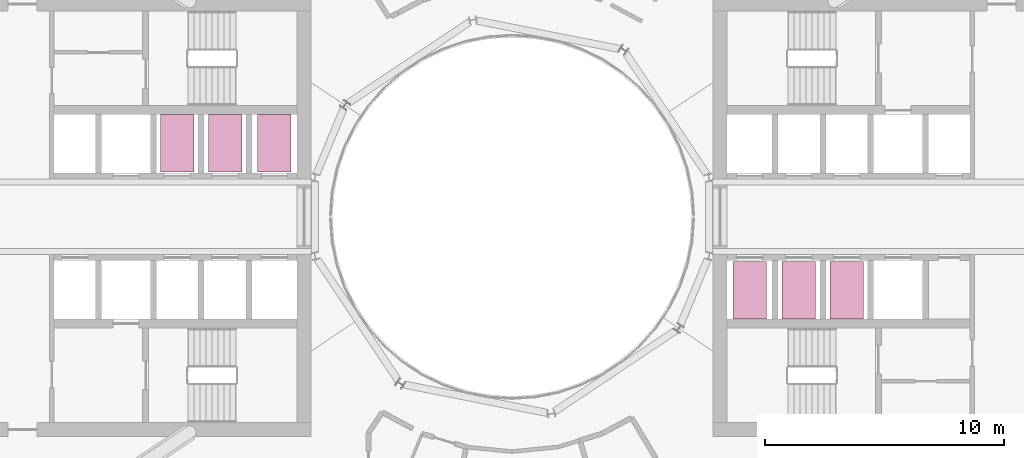
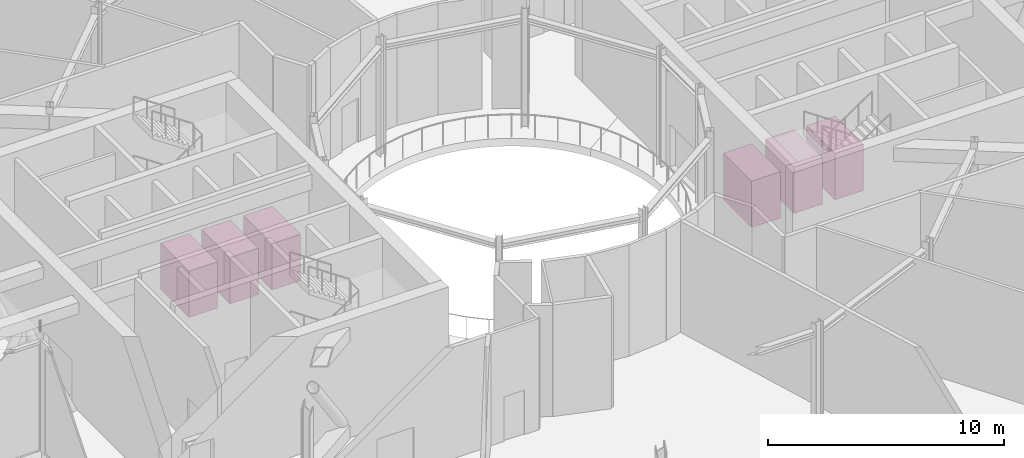
# One storey, part 25 of 25: 6 transport elements.
"""IFC4 building model written with IfcOpenShell, lengths in metres."""

from ifc_helpers import new_model, si_unit, direction, frame, origin, origin_2d, place, context, subcontext, project, spatial, rectangle, extrude, material, type_object, element, save


model = new_model("IFC4")

# Units and contexts
model_context = context("Model", 3, precision=1e-05, world=origin(), true_north=direction((0.0, 1.0)))
body_context = subcontext(model_context, "Body", "Model", "MODEL_VIEW")
ifc_project = project(units=[si_unit("LENGTHUNIT", "METRE"), si_unit("AREAUNIT", "SQUARE_METRE"), si_unit("VOLUMEUNIT", "CUBIC_METRE"), si_unit("PLANEANGLEUNIT", "RADIAN"), si_unit("MASSUNIT", "GRAM", prefix="KILO")], contexts=[model_context])

# Site, building, storey
site_placement = place(None, origin())
site = spatial("IfcSite", under=ifc_project, at=site_placement, CompositionType="ELEMENT")
building_placement = place(site_placement, origin())
building = spatial("IfcBuilding", under=site, at=building_placement, Name="Maasbend Ring Residences", CompositionType="ELEMENT")
storey_placement = place(building_placement, frame((0.0, 0.0, 139.10009765625)))
storey = spatial("IfcBuildingStorey", under=building, at=storey_placement, Name="L40", CompositionType="ELEMENT", Elevation=139.10009765625)

# Transport elements
ifc_material = material(Name="Stainless steel 316", Category="steel")
transport_element_type = type_object("IfcTransportElementType", Name="LIFT CAR 1400 X 2400 1600 KG", PredefinedType="ELEVATOR", material=ifc_material)
for number, where, z_axis, x_axis, name in (
    (1, (9.9375, -3.074951171875, 0.0), (0.0, 0.0, 1.0), (1.0, 0.0, 0.0), "Lift HR-E1 car"),
    (2, (12.0, -3.074951171875, 0.0), (0.0, 0.0, 1.0), (1.0, 0.0, 0.0), "Lift HR-E2 car"),
    (3, (14.0, -3.074951171875, 0.0), (0.0, 0.0, 1.0), (1.0, 0.0, 0.0), "Lift HR-E3 car"),
    (4, (-9.9375, 3.074951171875, 0.0), (0.0, 0.0, 1.0), (1.0, 0.0, 0.0), "Lift HR-W1 car"),
    (5, (-12.0, 3.074951171875, 0.0), (0.0, 0.0, 1.0), (1.0, 0.0, 0.0), "Lift HR-W2 car"),
    (6, (-14.0, 3.074951171875, 0.0), (0.0, 0.0, 1.0), (1.0, 0.0, 0.0), "Lift HR-W3 car"),
):
    element("IfcTransportElement", number, at=place(storey_placement, frame(where, z_axis=z_axis, x_axis=x_axis)), inside=storey, type_object=transport_element_type, Name=name, PredefinedType="ELEVATOR", context=body_context, shape_type="SweptSolid", body=[
        extrude(rectangle(XDim=1.39990234375, YDim=2.39990234375, at=origin_2d()), origin(), (0.0, 0.0, 1.0), 2.39990234375),
    ])

save(model, "model.ifc")
